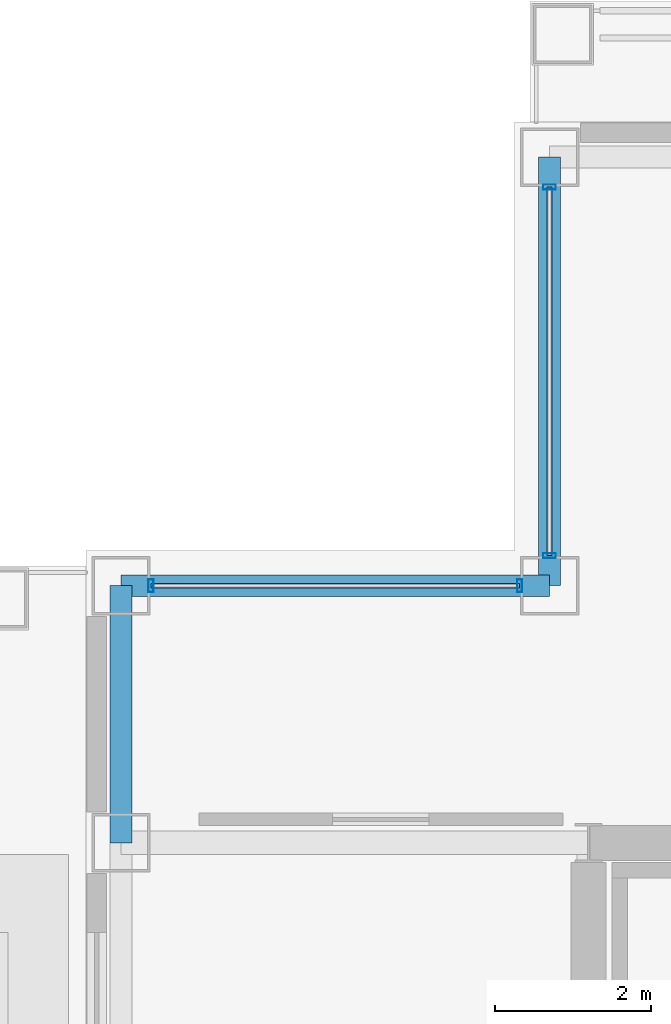
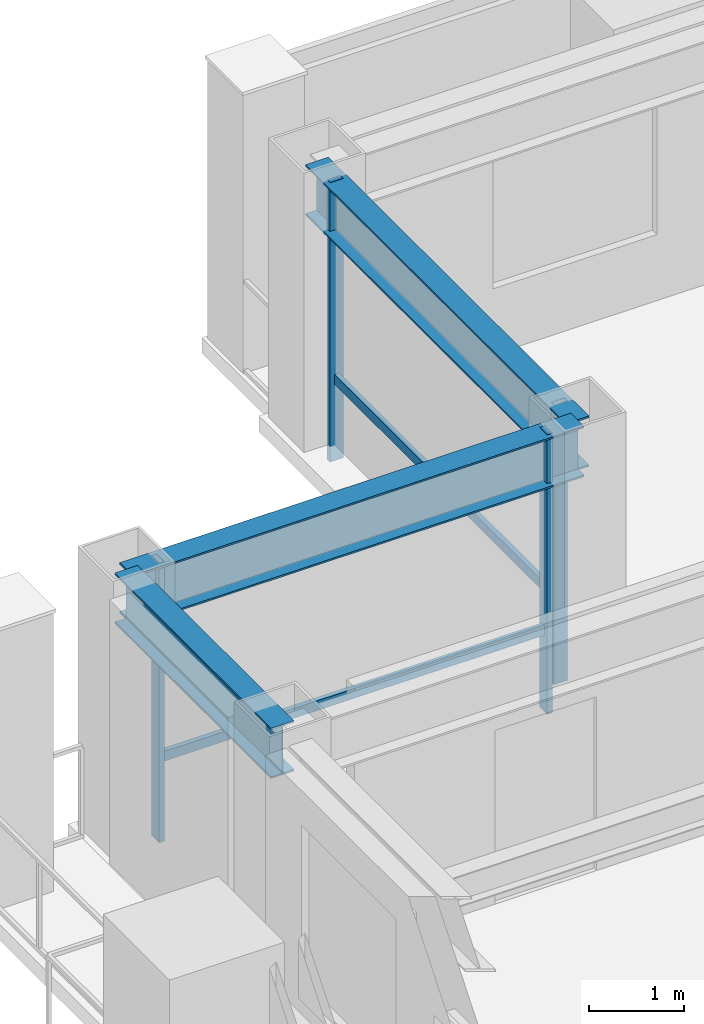
# One storey, part 20 of 32: 6 members, 3 beams, 2 elements without a shape of their own.
"""IFC4 building model written with IfcOpenShell, lengths in metres."""

from ifc_helpers import new_model, si_unit, direction, frame, origin, origin_2d, place, context, subcontext, project, spatial, hollow_rectangle, i_section, extrude, material, layer, layer_set, material_profile, profile_set, type_object, element, aggregate, save


model = new_model("IFC4")

# Units and contexts
model_context = context("Model", 3, precision=1e-05, world=origin(), true_north=direction((0.0, 1.0)))
body_context = subcontext(model_context, "Body", "Model", "MODEL_VIEW")
ifc_project = project(units=[si_unit("LENGTHUNIT", "METRE"), si_unit("AREAUNIT", "SQUARE_METRE"), si_unit("VOLUMEUNIT", "CUBIC_METRE"), si_unit("PLANEANGLEUNIT", "RADIAN"), si_unit("MASSUNIT", "GRAM", prefix="KILO")], contexts=[model_context])

# Site, building, storey
site_placement = place(None, origin())
site = spatial("IfcSite", under=ifc_project, at=site_placement, CompositionType="ELEMENT")
building_placement = place(site_placement, origin())
building = spatial("IfcBuilding", under=site, at=building_placement, Name="Brelmoor Portico Tower", CompositionType="ELEMENT")
storey_placement = place(building_placement, frame((0.0, 0.0, 162.300048828125)))
storey = spatial("IfcBuildingStorey", under=building, at=storey_placement, Name="L42", CompositionType="ELEMENT", Elevation=162.300048828125)

# Beams
ifc_material_1 = material(Name="Steel Q355B", Category="steel")
ifc_material_profile_1 = material_profile(ifc_material_1, i_section(OverallWidth=0.280029296875, OverallDepth=0.64990234375, WebThickness=0.012939453125, FlangeThickness=0.02197265625, at=origin_2d()), Name="HN 650x280x13x22")
ifc_profile_set_1 = profile_set([ifc_material_profile_1], Name="Steel Q355B")
beam_type = type_object("IfcBeamType", Name="BM-SP-650", PredefinedType="SPANDREL", material=ifc_profile_set_1)
beam_1_placement = place(storey_placement, frame((-20.550048828125, 13.050048828125, 3.074951171875), z_axis=(1.0, 0.0, 0.0), x_axis=(0.0, 1.0, 0.0)))
element("IfcBeam", 1, at=beam_1_placement, inside=storey, type_object=beam_type, Name="L42 Perimeter Spandrel Beam SP-06", PredefinedType="SPANDREL", context=body_context, shape_type="SweptSolid", body=[
    extrude(i_section(OverallWidth=0.280029296875, OverallDepth=0.64990234375, WebThickness=0.012939453125, FlangeThickness=0.02197265625, at=origin_2d()), origin(), (0.0, 0.0, 1.0), 5.5),
])
beam_2_placement = place(storey_placement, frame((-20.550048828125, 9.75, 3.074951171875), z_axis=(0.0, 1.0, 0.0), x_axis=(-1.0, 0.0, 0.0)))
element("IfcBeam", 2, at=beam_2_placement, inside=storey, type_object=beam_type, Name="L42 Perimeter Spandrel Beam SP-13", PredefinedType="SPANDREL", context=body_context, shape_type="SweptSolid", body=[
    extrude(i_section(OverallWidth=0.280029296875, OverallDepth=0.64990234375, WebThickness=0.012939453125, FlangeThickness=0.02197265625, at=origin_2d()), origin(), (0.0, 0.0, 1.0), 3.300048828125),
])
beam_3_placement = place(storey_placement, frame((-15.050048828125, 13.050048828125, 3.074951171875), z_axis=(0.0, 1.0, 0.0), x_axis=(-1.0, 0.0, 0.0)))
element("IfcBeam", 3, at=beam_3_placement, inside=storey, type_object=beam_type, Name="L42 Perimeter Spandrel Beam SP-15", PredefinedType="SPANDREL", context=body_context, shape_type="SweptSolid", body=[
    extrude(i_section(OverallWidth=0.280029296875, OverallDepth=0.64990234375, WebThickness=0.012939453125, FlangeThickness=0.02197265625, at=origin_2d()), origin(), (0.0, 0.0, 1.0), 5.5),
])

# Curtain wall, members
ifc_material_2 = material(Name="Anodised Aluminium Alloy 6063-T6", Category="aluminium")
ifc_layer = layer(ifc_material_2, 0.179931640625)
ifc_layer_set = layer_set([ifc_layer], Name="Anodised Aluminium Alloy 6063-T6")
curtain_wall_type = type_object("IfcCurtainWallType", Name="CW-NOTCH-CHAMFER", PredefinedType="NOTDEFINED", material=ifc_layer_set)
curtain_wall_1_placement = place(storey_placement, origin())
curtain_wall_1 = element("IfcCurtainWall", 4, at=curtain_wall_1_placement, inside=storey, type_object=curtain_wall_type, Name="L42 Curtain Wall CWN-L42-NWH", PredefinedType="NOTDEFINED")
ifc_material_profile_2 = material_profile(ifc_material_2, hollow_rectangle(XDim=0.06494140625, YDim=0.1650390625, WallThickness=0.00390625, at=origin_2d()), Name="ALU MULLION 65x165")
ifc_profile_set_2 = profile_set([ifc_material_profile_2], Name="Anodised Aluminium Alloy 6063-T6")
member_type_1 = type_object("IfcMemberType", Name="MB-CW-MULL-165", PredefinedType="MULLION", material=ifc_profile_set_2)
member_1_placement = place(storey_placement, frame((-20.1650390625, 13.050048828125, -0.199951171875), z_axis=(0.0, 0.0, 1.0), x_axis=(1.0, 0.0, 0.0)))
member_1 = element("IfcMember", 5, at=member_1_placement, type_object=member_type_1, Name="CWN-L42-NWH Mullion 00", PredefinedType="MULLION", context=body_context, shape_type="SweptSolid", body=[
    extrude(hollow_rectangle(XDim=0.06494140625, YDim=0.1650390625, WallThickness=0.00390625, at=origin_2d()), origin(), (0.0, 0.0, 1.0), 3.599853515625),
])
member_2_placement = place(storey_placement, frame((-15.43505859375, 13.050048828125, -0.199951171875), z_axis=(0.0, 0.0, 1.0), x_axis=(1.0, 0.0, 0.0)))
member_2 = element("IfcMember", 6, at=member_2_placement, type_object=member_type_1, Name="CWN-L42-NWH Mullion 01", PredefinedType="MULLION", context=body_context, shape_type="SweptSolid", body=[
    extrude(hollow_rectangle(XDim=0.06494140625, YDim=0.1650390625, WallThickness=0.00390625, at=origin_2d()), origin(), (0.0, 0.0, 1.0), 3.599853515625),
])

curtain_wall_2_placement = place(storey_placement, origin())
curtain_wall_2 = element("IfcCurtainWall", 7, at=curtain_wall_2_placement, inside=storey, type_object=curtain_wall_type, Name="L42 Curtain Wall CWN-L42-NWV", PredefinedType="NOTDEFINED")
member_3_placement = place(storey_placement, frame((-15.050048828125, 13.43505859375, -0.199951171875), z_axis=(0.0, 0.0, 1.0), x_axis=(0.0, 1.0, 0.0)))
member_3 = element("IfcMember", 8, at=member_3_placement, type_object=member_type_1, Name="CWN-L42-NWV Mullion 00", PredefinedType="MULLION", context=body_context, shape_type="SweptSolid", body=[
    extrude(hollow_rectangle(XDim=0.06494140625, YDim=0.1650390625, WallThickness=0.00390625, at=origin_2d()), origin(), (0.0, 0.0, 1.0), 3.599853515625),
])
member_4_placement = place(storey_placement, frame((-15.050048828125, 18.1650390625, -0.199951171875), z_axis=(0.0, 0.0, 1.0), x_axis=(0.0, 1.0, 0.0)))
member_4 = element("IfcMember", 9, at=member_4_placement, type_object=member_type_1, Name="CWN-L42-NWV Mullion 01", PredefinedType="MULLION", context=body_context, shape_type="SweptSolid", body=[
    extrude(hollow_rectangle(XDim=0.06494140625, YDim=0.1650390625, WallThickness=0.00390625, at=origin_2d()), origin(), (0.0, 0.0, 1.0), 3.599853515625),
])

# Member
ifc_material_profile_3 = material_profile(ifc_material_2, hollow_rectangle(XDim=0.06005859375, YDim=0.125, WallThickness=0.00341796875, at=origin_2d()), Name="ALU TRANSOM 60x125")
ifc_profile_set_3 = profile_set([ifc_material_profile_3], Name="Anodised Aluminium Alloy 6063-T6")
member_type_2 = type_object("IfcMemberType", Name="MB-CW-TRAN-125", PredefinedType="USERDEFINED", material=ifc_profile_set_3)
member_5_placement = place(storey_placement, frame((-20.1650390625, 13.050048828125, 0.849853515625), z_axis=(1.0, 0.0, 0.0), x_axis=(0.0, 1.0, 0.0)))
member_5 = element("IfcMember", 10, at=member_5_placement, type_object=member_type_2, Name="CWN-L42-NWH Transom 1-00", ObjectType="TRANSOM", PredefinedType="USERDEFINED", context=body_context, shape_type="SweptSolid", body=[
    extrude(hollow_rectangle(XDim=0.06005859375, YDim=0.125, WallThickness=0.00341796875, at=origin_2d()), origin(), (0.0, 0.0, 1.0), 4.72998046875),
])

aggregate(curtain_wall_1, [member_1, member_2, member_5])

member_6_placement = place(storey_placement, frame((-15.050048828125, 13.43505859375, 0.849853515625), z_axis=(0.0, 1.0, 0.0), x_axis=(-1.0, 0.0, 0.0)))
member_6 = element("IfcMember", 11, at=member_6_placement, type_object=member_type_2, Name="CWN-L42-NWV Transom 1-00", ObjectType="TRANSOM", PredefinedType="USERDEFINED", context=body_context, shape_type="SweptSolid", body=[
    extrude(hollow_rectangle(XDim=0.06005859375, YDim=0.125, WallThickness=0.00341796875, at=origin_2d()), origin(), (0.0, 0.0, 1.0), 4.72998046875),
])

aggregate(curtain_wall_2, [member_3, member_4, member_6])

save(model, "model.ifc")
